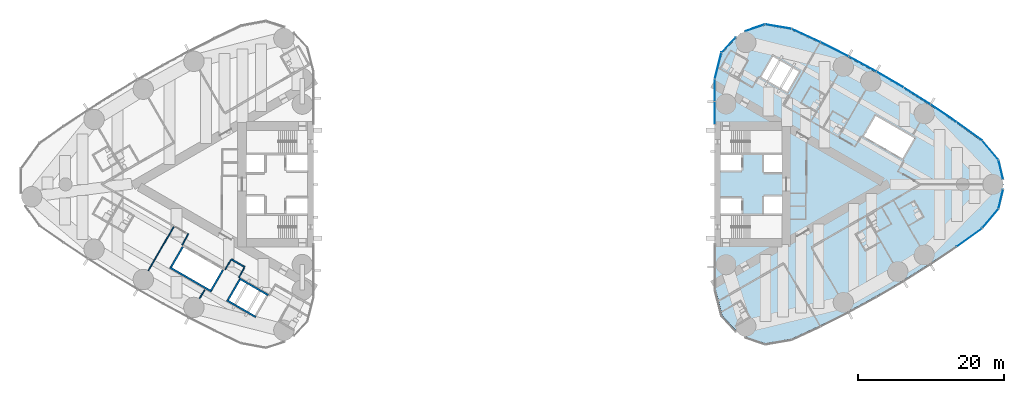
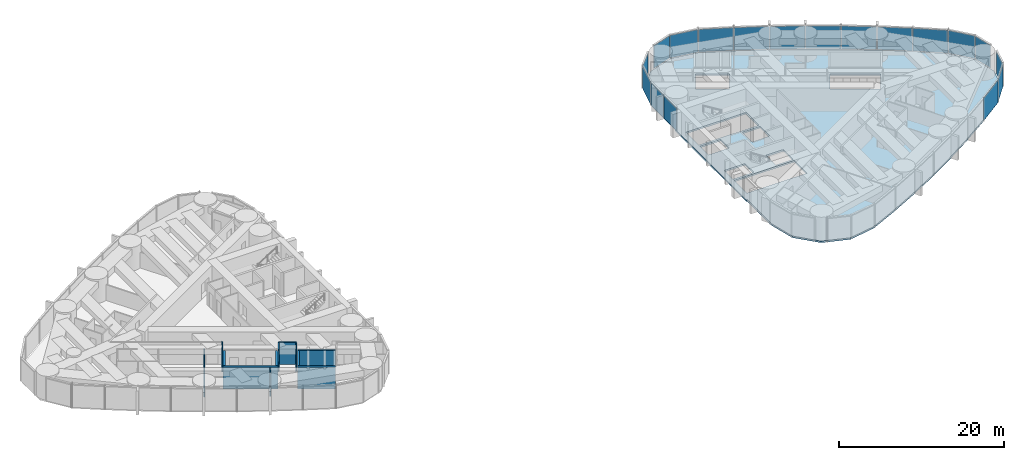
# One storey, part 11 of 19: 18 plates, 12 walls, 1 slab, 3 elements without a shape of their own.
"""IFC4 building model written with IfcOpenShell, lengths in metres."""

from ifc_helpers import new_model, si_unit, direction, frame, frame_2d, origin, origin_2d, place, context, subcontext, project, spatial, polyline, rectangle, outline, extrude, material, layer, layer_set, type_object, element, aggregate, save


model = new_model("IFC4")

# Units and contexts
model_context = context("Model", 3, precision=1e-05, world=origin(), true_north=direction((0.0, 1.0)))
body_context = subcontext(model_context, "Body", "Model", "MODEL_VIEW")
ifc_project = project(units=[si_unit("LENGTHUNIT", "METRE"), si_unit("AREAUNIT", "SQUARE_METRE"), si_unit("VOLUMEUNIT", "CUBIC_METRE"), si_unit("PLANEANGLEUNIT", "RADIAN"), si_unit("MASSUNIT", "GRAM", prefix="KILO")], contexts=[model_context])

# Site, building, storey
site_placement = place(None, origin())
site = spatial("IfcSite", under=ifc_project, at=site_placement, CompositionType="ELEMENT")
building_placement = place(site_placement, origin())
building = spatial("IfcBuilding", under=site, at=building_placement, Name="Lancet Gate Hotel", CompositionType="ELEMENT")
storey_placement = place(building_placement, frame((0.0, 0.0, 159.800048828125)))
storey = spatial("IfcBuildingStorey", under=building, at=storey_placement, Name="L42", CompositionType="ELEMENT", Elevation=159.800048828125)

# Slab
ifc_material_1 = material(Name="Concrete C50/60", Category="concrete")
ifc_layer_1 = layer(ifc_material_1, 0.25)
ifc_layer_set_1 = layer_set([ifc_layer_1], Name="Floor slab 250")
slab_type = type_object("IfcSlabType", Name="Floor slab 250", PredefinedType="FLOOR", material=ifc_layer_set_1)
slab_placement = place(storey_placement, frame((0.0, 0.0, -0.25)))
element("IfcSlab", 1, at=slab_placement, inside=storey, type_object=slab_type, Name="T2 L42 floor slab", PredefinedType="FLOOR", context=body_context, shape_type="SweptSolid", body=[
    extrude(outline(polyline([(27.5, -8.60009765625), (27.6201171875, -8.60009765625), (27.6201171875, -14.450439453125), (28.517822265625, -17.9853515625), (30.98291015625, -20.65185546875), (34.421875, -21.819091796875), (38.01513671875, -21.201171875), (41.9296875, -19.383056640625), (45.796875, -17.435302734375), (49.6005859375, -15.36572265625), (53.336669921875, -13.1767578125), (57.00146484375, -10.87060546875), (60.591552734375, -8.44921875), (64.092041015625, -5.9228515625), (66.283447265625, -3.307373046875), (67.06640625, 0.0), (66.283447265625, 3.307373046875), (64.092041015625, 5.9228515625), (60.591552734375, 8.44921875), (57.00146484375, 10.87060546875), (53.336669921875, 13.1767578125), (49.6005859375, 15.36572265625), (45.796875, 17.435302734375), (41.9296875, 19.383056640625), (38.01513671875, 21.201171875), (34.421875, 21.819091796875), (30.98291015625, 20.65185546875), (28.517822265625, 17.9853515625), (27.6201171875, 14.450439453125), (27.6201171875, 8.60009765625), (27.5, 8.60009765625), (27.5, 8.199951171875), (27.5, -8.199951171875), (27.5, -8.60009765625)]), holes=[polyline([(36.699951171875, -7.39990234375), (36.699951171875, -4.300048828125), (28.300048828125, -4.300048828125), (28.300048828125, -7.39990234375), (36.699951171875, -7.39990234375)]), polyline([(28.300048828125, -4.0), (31.199951171875, -4.0), (31.199951171875, -1.89990234375), (28.300048828125, -1.89990234375), (28.300048828125, -4.0)]), polyline([(34.25, -4.0), (36.699951171875, -4.0), (36.699951171875, -1.64990234375), (34.25, -1.64990234375), (34.25, -4.0)]), polyline([(36.699951171875, 1.64990234375), (36.699951171875, 4.0), (34.25, 4.0), (34.25, 1.64990234375), (36.699951171875, 1.64990234375)]), polyline([(28.300048828125, 1.89990234375), (31.199951171875, 1.89990234375), (31.199951171875, 4.0), (28.300048828125, 4.0), (28.300048828125, 1.89990234375)]), polyline([(28.300048828125, 4.300048828125), (36.699951171875, 4.300048828125), (36.699951171875, 7.39990234375), (28.300048828125, 7.39990234375), (28.300048828125, 4.300048828125)]), polyline([(47.9609375, 6.60595703125), (53.242919921875, 3.555908203125), (54.843017578125, 6.326904296875), (49.56103515625, 9.376953125), (47.9609375, 6.60595703125)]), polyline([(33.887939453125, 14.73095703125), (37.43798828125, 12.680908203125), (39.0380859375, 15.451904296875), (35.488037109375, 17.501953125), (33.887939453125, 14.73095703125)])]), origin(), (0.0, 0.0, 1.0), 0.25),
])

# Curtain wall, plates
ifc_material_2 = material(Name="Aluminium curtain wall", Category="aluminium")
curtain_wall_type = type_object("IfcCurtainWallType", Name="Tower unitised curtain wall", PredefinedType="USERDEFINED", material=ifc_material_2)
curtain_wall_1_placement = place(storey_placement, origin())
curtain_wall_1 = element("IfcCurtainWall", 2, at=curtain_wall_1_placement, inside=storey, type_object=curtain_wall_type, Name="T2 L42 curtain wall 2", ObjectType="UNITISED CURTAIN WALL", PredefinedType="USERDEFINED")
ifc_material_3 = material(Name="Glass double glazed unit 8-16-6", Category="glass")
ifc_layer_2 = layer(ifc_material_3, 0.030029296875)
ifc_layer_set_2 = layer_set([ifc_layer_2], Name="Vision panel double glazed")
plate_type = type_object("IfcPlateType", Name="Vision panel double glazed", PredefinedType="CURTAIN_PANEL", material=ifc_layer_set_2)
plate_1_placement = place(storey_placement, frame((62.417236328125, -7.279541015625, 0.0), z_axis=(0.0, 0.0, 1.0), x_axis=(0.810891442127, 0.585196607206, 0.0)))
plate_1 = element("IfcPlate", 3, at=plate_1_placement, type_object=plate_type, Name="T2 L42 curtain wall 2 panel 9", PredefinedType="CURTAIN_PANEL", context=body_context, shape_type="SweptSolid", body=[
    extrude(rectangle(XDim=4.26904296875, YDim=0.030029296875, at=origin_2d()), origin(), (0.0, 0.0, 1.0), 3.35009765625),
])
plate_2_placement = place(storey_placement, frame((65.283935546875, -4.68701171875, 0.0), z_axis=(0.0, 0.0, 1.0), x_axis=(0.642198636854, 0.766538264422, 0.0)))
plate_2 = element("IfcPlate", 4, at=plate_2_placement, type_object=plate_type, Name="T2 L42 curtain wall 2 panel 10", PredefinedType="CURTAIN_PANEL", context=body_context, shape_type="SweptSolid", body=[
    extrude(rectangle(XDim=3.390380859375, YDim=0.030029296875, at=origin_2d()), origin(), (0.0, 0.0, 1.0), 3.35009765625),
])
plate_3_placement = place(storey_placement, frame((66.710693359375, -2.0234375, 0.0), z_axis=(0.0, 0.0, 1.0), x_axis=(0.230366568544, 0.973103922558, 0.0)))
plate_3 = element("IfcPlate", 5, at=plate_3_placement, type_object=plate_type, Name="T2 L42 curtain wall 2 panel 11", PredefinedType="CURTAIN_PANEL", context=body_context, shape_type="SweptSolid", body=[
    extrude(rectangle(XDim=2.687255859375, YDim=0.030029296875, at=origin_2d()), origin(), (0.0, 0.0, 1.0), 3.35009765625),
])
aggregate(curtain_wall_1, [plate_1, plate_2, plate_3])

curtain_wall_2_placement = place(storey_placement, origin())
curtain_wall_2 = element("IfcCurtainWall", 6, at=curtain_wall_2_placement, inside=storey, type_object=curtain_wall_type, Name="T2 L42 curtain wall 3", ObjectType="UNITISED CURTAIN WALL", PredefinedType="USERDEFINED")
plate_4_placement = place(storey_placement, frame((66.710693359375, 2.0234375, 0.0), z_axis=(0.0, 0.0, 1.0), x_axis=(-0.230366568544, 0.973103922558, 0.0)))
plate_4 = element("IfcPlate", 7, at=plate_4_placement, type_object=plate_type, Name="T2 L42 curtain wall 3 panel 1", PredefinedType="CURTAIN_PANEL", context=body_context, shape_type="SweptSolid", body=[
    extrude(rectangle(XDim=2.687255859375, YDim=0.030029296875, at=origin_2d()), origin(), (0.0, 0.0, 1.0), 3.35009765625),
])
plate_5_placement = place(storey_placement, frame((65.283935546875, 4.68701171875, 0.0), z_axis=(0.0, 0.0, 1.0), x_axis=(-0.642198636854, 0.766538264422, 0.0)))
plate_5 = element("IfcPlate", 8, at=plate_5_placement, type_object=plate_type, Name="T2 L42 curtain wall 3 panel 2", PredefinedType="CURTAIN_PANEL", context=body_context, shape_type="SweptSolid", body=[
    extrude(rectangle(XDim=3.390380859375, YDim=0.030029296875, at=origin_2d()), origin(), (0.0, 0.0, 1.0), 3.35009765625),
])
plate_6_placement = place(storey_placement, frame((62.417236328125, 7.279541015625, 0.0), z_axis=(0.0, 0.0, 1.0), x_axis=(-0.810891442127, 0.585196607206, 0.0)))
plate_6 = element("IfcPlate", 9, at=plate_6_placement, type_object=plate_type, Name="T2 L42 curtain wall 3 panel 3", PredefinedType="CURTAIN_PANEL", context=body_context, shape_type="SweptSolid", body=[
    extrude(rectangle(XDim=4.26904296875, YDim=0.030029296875, at=origin_2d()), origin(), (0.0, 0.0, 1.0), 3.35009765625),
])
plate_7_placement = place(storey_placement, frame((58.863525390625, 9.75927734375, 0.0), z_axis=(0.0, 0.0, 1.0), x_axis=(-0.829038793948, 0.559191092677, 0.0)))
plate_7 = element("IfcPlate", 10, at=plate_7_placement, type_object=plate_type, Name="T2 L42 curtain wall 3 panel 4", PredefinedType="CURTAIN_PANEL", context=body_context, shape_type="SweptSolid", body=[
    extrude(rectangle(XDim=4.26904296875, YDim=0.030029296875, at=origin_2d()), origin(), (0.0, 0.0, 1.0), 3.35009765625),
])
plate_8_placement = place(storey_placement, frame((55.233154296875, 12.125244140625, 0.0), z_axis=(0.0, 0.0, 1.0), x_axis=(-0.846352453444, 0.532623248225, 0.0)))
plate_8 = element("IfcPlate", 11, at=plate_8_placement, type_object=plate_type, Name="T2 L42 curtain wall 3 panel 5", PredefinedType="CURTAIN_PANEL", context=body_context, shape_type="SweptSolid", body=[
    extrude(rectangle(XDim=4.26904296875, YDim=0.030029296875, at=origin_2d()), origin(), (0.0, 0.0, 1.0), 3.35009765625),
])
plate_9_placement = place(storey_placement, frame((51.529296875, 14.374755859375, 0.0), z_axis=(0.0, 0.0, 1.0), x_axis=(-0.862815009772, 0.505519790822, 0.0)))
plate_9 = element("IfcPlate", 12, at=plate_9_placement, type_object=plate_type, Name="T2 L42 curtain wall 3 panel 6", PredefinedType="CURTAIN_PANEL", context=body_context, shape_type="SweptSolid", body=[
    extrude(rectangle(XDim=4.26904296875, YDim=0.030029296875, at=origin_2d()), origin(), (0.0, 0.0, 1.0), 3.35009765625),
])
plate_10_placement = place(storey_placement, frame((47.756103515625, 16.505859375, 0.0), z_axis=(0.0, 0.0, 1.0), x_axis=(-0.878409907967, 0.477907976063, 0.0)))
plate_10 = element("IfcPlate", 13, at=plate_10_placement, type_object=plate_type, Name="T2 L42 curtain wall 3 panel 7", PredefinedType="CURTAIN_PANEL", context=body_context, shape_type="SweptSolid", body=[
    extrude(rectangle(XDim=4.26904296875, YDim=0.030029296875, at=origin_2d()), origin(), (0.0, 0.0, 1.0), 3.35009765625),
])
plate_11_placement = place(storey_placement, frame((43.917236328125, 18.516357421875, 0.0), z_axis=(0.0, 0.0, 1.0), x_axis=(-0.893121465596, 0.449815570752, 0.0)))
plate_11 = element("IfcPlate", 14, at=plate_11_placement, type_object=plate_type, Name="T2 L42 curtain wall 3 panel 8", PredefinedType="CURTAIN_PANEL", context=body_context, shape_type="SweptSolid", body=[
    extrude(rectangle(XDim=4.26904296875, YDim=0.030029296875, at=origin_2d()), origin(), (0.0, 0.0, 1.0), 3.35009765625),
])
plate_12_placement = place(storey_placement, frame((40.0166015625, 20.40380859375, 0.0), z_axis=(0.0, 0.0, 1.0), x_axis=(-0.906934888522, 0.421270824982, 0.0)))
plate_12 = element("IfcPlate", 15, at=plate_12_placement, type_object=plate_type, Name="T2 L42 curtain wall 3 panel 9", PredefinedType="CURTAIN_PANEL", context=body_context, shape_type="SweptSolid", body=[
    extrude(rectangle(XDim=4.26904296875, YDim=0.030029296875, at=origin_2d()), origin(), (0.0, 0.0, 1.0), 3.35009765625),
])
plate_13_placement = place(storey_placement, frame((36.231689453125, 21.629638671875, 0.0), z_axis=(0.0, 0.0, 1.0), x_axis=(-0.985539649572, 0.169444973729, 0.0)))
plate_13 = element("IfcPlate", 16, at=plate_13_placement, type_object=plate_type, Name="T2 L42 curtain wall 3 panel 10", PredefinedType="CURTAIN_PANEL", context=body_context, shape_type="SweptSolid", body=[
    extrude(rectangle(XDim=3.62744140625, YDim=0.030029296875, at=origin_2d()), origin(), (0.0, 0.0, 1.0), 3.35009765625),
])
plate_14_placement = place(storey_placement, frame((33.02197265625, 21.470703125, 0.0), z_axis=(0.0, 0.0, 1.0), x_axis=(-0.946952368511, -0.321373943827, 0.0)))
plate_14 = element("IfcPlate", 17, at=plate_14_placement, type_object=plate_type, Name="T2 L42 curtain wall 3 panel 11", PredefinedType="CURTAIN_PANEL", context=body_context, shape_type="SweptSolid", body=[
    extrude(rectangle(XDim=2.871337890625, YDim=0.030029296875, at=origin_2d()), origin(), (0.0, 0.0, 1.0), 3.35009765625),
])
aggregate(curtain_wall_2, [plate_4, plate_5, plate_6, plate_7, plate_8, plate_9, plate_10, plate_11, plate_12, plate_13, plate_14])

curtain_wall_3_placement = place(storey_placement, origin())
curtain_wall_3 = element("IfcCurtainWall", 18, at=curtain_wall_3_placement, inside=storey, type_object=curtain_wall_type, Name="T2 L42 curtain wall 4", ObjectType="UNITISED CURTAIN WALL", PredefinedType="USERDEFINED")
plate_15_placement = place(storey_placement, frame((29.4052734375, 19.122314453125, 0.0), z_axis=(0.0, 0.0, 1.0), x_axis=(-0.67883123083, -0.734294327943, 0.0)))
plate_15 = element("IfcPlate", 19, at=plate_15_placement, type_object=plate_type, Name="T2 L42 curtain wall 4 panel 1", PredefinedType="CURTAIN_PANEL", context=body_context, shape_type="SweptSolid", body=[
    extrude(rectangle(XDim=2.87060546875, YDim=0.030029296875, at=origin_2d()), origin(), (0.0, 0.0, 1.0), 3.35009765625),
])
plate_16_placement = place(storey_placement, frame((27.95458984375, 16.2548828125, 0.0), z_axis=(0.0, 0.0, 1.0), x_axis=(-0.246166705764, -0.969227503207, 0.0)))
plate_16 = element("IfcPlate", 20, at=plate_16_placement, type_object=plate_type, Name="T2 L42 curtain wall 4 panel 2", PredefinedType="CURTAIN_PANEL", context=body_context, shape_type="SweptSolid", body=[
    extrude(rectangle(XDim=3.62744140625, YDim=0.030029296875, at=origin_2d()), origin(), (0.0, 0.0, 1.0), 3.35009765625),
])
plate_17_placement = place(storey_placement, frame((27.5, 12.899169921875, 0.0), z_axis=(0.0, 0.0, 1.0), x_axis=(0.0, -1.0, 0.0)))
plate_17 = element("IfcPlate", 21, at=plate_17_placement, type_object=plate_type, Name="T2 L42 curtain wall 4 panel 3", PredefinedType="CURTAIN_PANEL", context=body_context, shape_type="SweptSolid", body=[
    extrude(rectangle(XDim=3.06787109375, YDim=0.030029296875, at=origin_2d()), origin(), (0.0, 0.0, 1.0), 3.35009765625),
])
plate_18_placement = place(storey_placement, frame((27.5, 9.766357421875, 0.0), z_axis=(0.0, 0.0, 1.0), x_axis=(0.0, -1.0, 0.0)))
plate_18 = element("IfcPlate", 22, at=plate_18_placement, type_object=plate_type, Name="T2 L42 curtain wall 4 panel 4", PredefinedType="CURTAIN_PANEL", context=body_context, shape_type="SweptSolid", body=[
    extrude(rectangle(XDim=3.06787109375, YDim=0.030029296875, at=origin_2d()), origin(), (0.0, 0.0, 1.0), 3.35009765625),
])
aggregate(curtain_wall_3, [plate_15, plate_16, plate_17, plate_18])

# Walls
ifc_material_4 = material(Name="Gypsum board partition")
ifc_layer_3 = layer(ifc_material_4, 0.199951171875)
ifc_layer_set_3 = layer_set([ifc_layer_3], Name="Corridor wall 200")
wall_type_1 = type_object("IfcWallType", Name="Corridor wall 200", PredefinedType="PARTITIONING", material=ifc_layer_set_3)
wall_1_placement = place(storey_placement, frame((-36.920166015625, -11.34375, 0.0), z_axis=(0.0, 0.0, 1.0), x_axis=(-0.866065156741, 0.499931139538, 0.0)))
element("IfcWall", 23, at=wall_1_placement, inside=storey, type_object=wall_type_1, Name="T1 corridor wall 200 L42", PredefinedType="PARTITIONING", context=body_context, shape_type="SweptSolid", body=[
    extrude(rectangle(XDim=2.160400390625, YDim=0.199951171875, at=frame_2d((1.080078125, 0.0))), origin(), (0.0, 0.0, 1.0), 3.25),
])
ifc_material_5 = material(Name="Gypsum board partition")
ifc_layer_4 = layer(ifc_material_5, 0.25)
ifc_layer_set_4 = layer_set([ifc_layer_4], Name="Lift shaft partition 250")
wall_type_2 = type_object("IfcWallType", Name="Lift shaft partition 250", PredefinedType="PARTITIONING", material=ifc_layer_set_4)
wall_2_placement = place(storey_placement, frame((-33.695556640625, -15.197265625, 0.0), z_axis=(0.0, 0.0, 1.0), x_axis=(-0.865976953817, 0.500083908417, 0.0)))
element("IfcWall", 24, at=wall_2_placement, inside=storey, type_object=wall_type_2, Name="T1 lift shaft wall EX L42", PredefinedType="PARTITIONING", context=body_context, shape_type="SweptSolid", body=[
    extrude(rectangle(XDim=4.599365234375, YDim=0.25, at=frame_2d((2.2998046875, 0.0))), origin(), (0.0, 0.0, 1.0), 3.25),
])
wall_3_placement = place(storey_placement, frame((-35.42041015625, -18.185791015625, 0.0), z_axis=(0.0, 0.0, 1.0), x_axis=(-0.865990227814, 0.50006092162, 0.0)))
element("IfcWall", 25, at=wall_3_placement, inside=storey, type_object=wall_type_2, Name="T1 lift shaft wall EX L42", PredefinedType="PARTITIONING", context=body_context, shape_type="SweptSolid", body=[
    extrude(rectangle(XDim=4.599609375, YDim=0.25, at=frame_2d((2.2998046875, 0.0))), origin(), (0.0, 0.0, 1.0), 3.25),
])
wall_4_placement = place(storey_placement, frame((-37.6328125, -13.068115234375, 0.0), z_axis=(0.0, 0.0, 1.0), x_axis=(-0.499872130319, -0.866099216793, 0.0)))
element("IfcWall", 26, at=wall_4_placement, inside=storey, type_object=wall_type_2, Name="T1 lift shaft wall EX L42", PredefinedType="PARTITIONING", context=body_context, shape_type="SweptSolid", body=[
    extrude(rectangle(XDim=3.200439453125, YDim=0.25, at=frame_2d((1.60009765625, 0.0))), origin(), (0.0, 0.0, 1.0), 3.25),
])
wall_5_placement = place(storey_placement, frame((-41.482421875, -14.685791015625, 0.0), z_axis=(0.0, 0.0, 1.0), x_axis=(-0.86603344179, 0.499986077507, 0.0)))
element("IfcWall", 27, at=wall_5_placement, inside=storey, type_object=wall_type_2, Name="T1 lift shaft wall HL L42", PredefinedType="PARTITIONING", context=body_context, shape_type="SweptSolid", body=[
    extrude(rectangle(XDim=6.600341796875, YDim=0.25, at=frame_2d((3.30029296875, 0.0))), origin(), (0.0, 0.0, 1.0), 3.25),
])
for number, where, z_axis, x_axis, name in (
    (28, (-39.92822265625, -11.742919921875, 0.0), (0.0, 0.0, 1.0), (-0.499929347863, -0.866066190972, 0.0), "T1 lift shaft wall HL L42"),
    (29, (-45.427734375, -8.568115234375, 0.0), (0.0, 0.0, 1.0), (-0.499929347863, -0.866066190972, 0.0), "T1 lift shaft wall HL L42"),
):
    element("IfcWall", number, at=place(storey_placement, frame(where, z_axis=z_axis, x_axis=x_axis)), inside=storey, type_object=wall_type_2, Name=name, PredefinedType="PARTITIONING", context=body_context, shape_type="SweptSolid", body=[
        extrude(rectangle(XDim=3.20068359375, YDim=0.25, at=frame_2d((1.600341796875, 0.0))), origin(), (0.0, 0.0, 1.0), 3.25),
    ])
ifc_material_6 = material(Name="Gypsum board partition")
ifc_layer_5 = layer(ifc_material_6, 0.14990234375)
ifc_layer_set_5 = layer_set([ifc_layer_5], Name="Party wall 150")
wall_type_3 = type_object("IfcWallType", Name="Party wall 150", PredefinedType="PARTITIONING", material=ifc_layer_set_5)
wall_6_placement = place(storey_placement, frame((-46.6787109375, -5.8251953125, 0.0), z_axis=(0.0, 0.0, 1.0), x_axis=(-0.500006839597, -0.866021454905, 0.0)))
element("IfcWall", 30, at=wall_6_placement, inside=storey, type_object=wall_type_3, Name="T1 party wall 150 L42", PredefinedType="PARTITIONING", context=body_context, shape_type="SweptSolid", body=[
    extrude(rectangle(XDim=6.9111328125, YDim=0.14990234375, at=frame_2d((3.45556640625, 0.0))), origin(), (0.0, 0.0, 1.0), 2.300048828125),
])
wall_7_placement = place(storey_placement, frame((-42.429443359375, -14.45654296875, 0.0), z_axis=(0.0, 0.0, 1.0), x_axis=(-0.5000578829, -0.865991982497, 0.0)))
element("IfcWall", 31, at=wall_7_placement, inside=storey, type_object=wall_type_3, Name="T1 party wall 150 L42", PredefinedType="PARTITIONING", context=body_context, shape_type="SweptSolid", body=[
    extrude(rectangle(XDim=1.406982421875, YDim=0.14990234375, at=frame_2d((0.70361328125, 0.0))), origin(), (0.0, 0.0, 1.0), 3.25),
])
ifc_material_7 = material(Name="Gypsum board partition")
ifc_layer_6 = layer(ifc_material_7, 0.14990234375)
ifc_layer_set_6 = layer_set([ifc_layer_6], Name="Service room wall 150")
wall_type_4 = type_object("IfcWallType", Name="Service room wall 150", PredefinedType="PARTITIONING", material=ifc_layer_set_6)
wall_8_placement = place(storey_placement, frame((-44.652099609375, -6.764404296875, 0.0), z_axis=(0.0, 0.0, 1.0), x_axis=(-0.485424724123, -0.874278466629, 0.0)))
element("IfcWall", 32, at=wall_8_placement, inside=storey, type_object=wall_type_4, Name="T1 service room wall 150 L42", PredefinedType="PARTITIONING", context=body_context, shape_type="SweptSolid", body=[
    extrude(rectangle(XDim=1.80517578125, YDim=0.14990234375, at=frame_2d((0.902587890625, 0.0))), origin(), (0.0, 0.0, 1.0), 3.25),
])
wall_9_placement = place(storey_placement, frame((-36.97021484375, -11.430419921875, 0.0), z_axis=(0.0, 0.0, 1.0), x_axis=(-0.499985008713, -0.866034058835, 0.0)))
element("IfcWall", 33, at=wall_9_placement, inside=storey, type_object=wall_type_4, Name="T1 service room wall 150 L42", PredefinedType="PARTITIONING", context=body_context, shape_type="SweptSolid", body=[
    extrude(rectangle(XDim=1.529296875, YDim=0.14990234375, at=frame_2d((0.7646484375, 0.0))), origin(), (0.0, 0.0, 1.0), 3.25),
])
wall_10_placement = place(storey_placement, frame((-38.84130859375, -10.35009765625, 0.0), z_axis=(0.0, 0.0, 1.0), x_axis=(-0.499966498333, -0.866044745117, 0.0)))
element("IfcWall", 34, at=wall_10_placement, inside=storey, type_object=wall_type_4, Name="T1 service room wall 150 L42", PredefinedType="PARTITIONING", context=body_context, shape_type="SweptSolid", body=[
    extrude(rectangle(XDim=1.52978515625, YDim=0.14990234375, at=frame_2d((0.764892578125, 0.0))), origin(), (0.0, 0.0, 1.0), 3.25),
])

save(model, "model.ifc")
